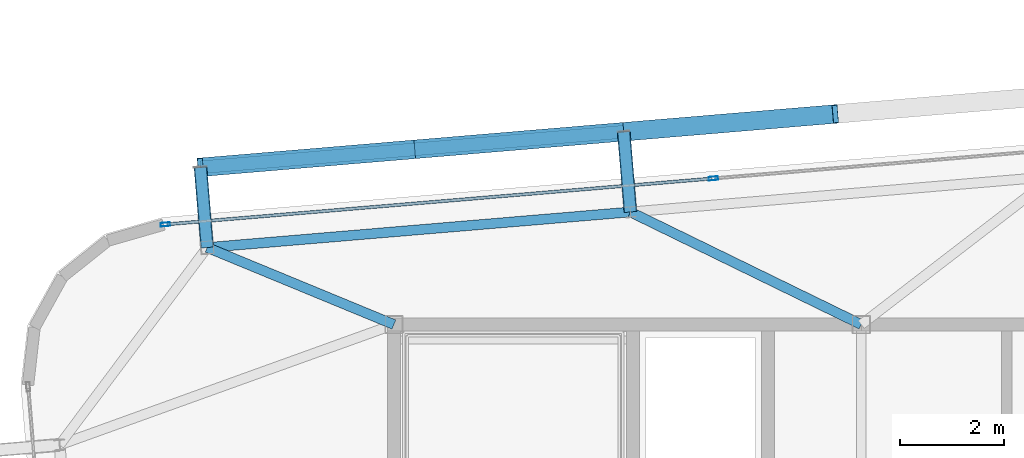
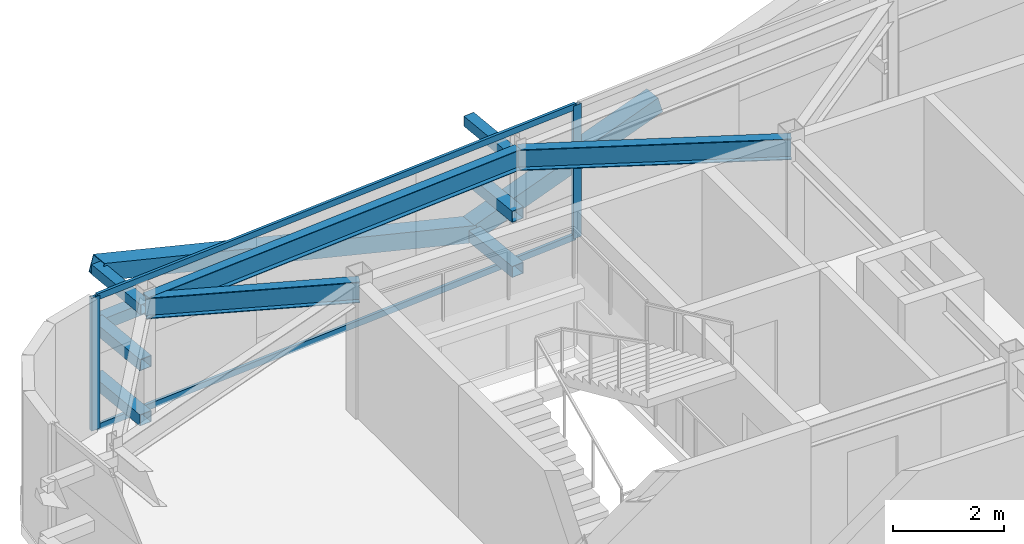
# One storey, part 21 of 39: 14 members, 3 beams, 1 element without a shape of its own.
"""IFC4 building model written with IfcOpenShell, lengths in metres."""

from ifc_helpers import new_model, si_unit, direction, frame, origin, origin_2d, place, context, subcontext, project, spatial, hollow_rectangle, i_section, extrude, source, transform, mapped, material, layer, layer_set, material_profile, profile_set, type_object, element, aggregate, save


model = new_model("IFC4")

# Units and contexts
model_context = context("Model", 3, precision=1e-05, world=origin(), true_north=direction((0.0, 1.0)))
body_context = subcontext(model_context, "Body", "Model", "MODEL_VIEW")
ifc_project = project(units=[si_unit("LENGTHUNIT", "METRE"), si_unit("AREAUNIT", "SQUARE_METRE"), si_unit("VOLUMEUNIT", "CUBIC_METRE"), si_unit("PLANEANGLEUNIT", "RADIAN"), si_unit("MASSUNIT", "GRAM", prefix="KILO")], contexts=[model_context])

# Site, building, storey
site_placement = place(None, origin())
site = spatial("IfcSite", under=ifc_project, at=site_placement, CompositionType="ELEMENT")
building_placement = place(site_placement, origin())
building = spatial("IfcBuilding", under=site, at=building_placement, Name="Taldren Reach Tower", CompositionType="ELEMENT")
storey_placement = place(building_placement, frame((0.0, 0.0, 175.699951171875)))
storey = spatial("IfcBuildingStorey", under=building, at=storey_placement, Name="L53", CompositionType="ELEMENT", Elevation=175.699951171875)

# Members
ifc_material_1 = material(Name="Steel Gr 350 (C350L0)", Category="steel")
ifc_material_profile_1 = material_profile(ifc_material_1, hollow_rectangle(XDim=0.25, YDim=0.25, WallThickness=0.010009765625, at=origin_2d()), Name="250x250x10.0SHS")
ifc_profile_set_1 = profile_set([ifc_material_profile_1], Name="Steel Gr 350 (C350L0)")
member_type_1 = type_object("IfcMemberType", Name="MB-POST250", PredefinedType="POST", material=ifc_profile_set_1)
shared_shape_1 = source(origin(), body_context, "Body", "SweptSolid", [
    extrude(hollow_rectangle(XDim=0.25, YDim=0.25, WallThickness=0.010009765625, at=origin_2d()), origin(), (0.0, 0.0, 1.0), 1.5498046875),
])
for number, where, z_axis, x_axis, name in (
    (1, (15.40380859375, 33.483642578125, 0.219970703125), (-0.083645141657, 0.996495604746, 0.0), (-0.996495604746, -0.083645141657, 0.0), "Exoskeleton base diaphragm tie strut B4-N1 L53"),
    (2, (15.40380859375, 33.483642578125, 1.43505859375), (-0.083645141657, 0.996495604746, 0.0), (-0.996495604746, -0.083645141657, 0.0), "Exoskeleton mid-tier diaphragm tie B4-N1 L53"),
):
    element("IfcMember", number, at=place(storey_placement, frame(where, z_axis=z_axis, x_axis=x_axis)), inside=storey, type_object=member_type_1, Name=name, PredefinedType="POST", context=body_context, shape_type="MappedRepresentation", body=[
        mapped(shared_shape_1, transform((0.0, 0.0, 0.0), scale=1.0)),
    ])
shared_shape_2 = source(origin(), body_context, "Body", "SweptSolid", [
    extrude(hollow_rectangle(XDim=0.25, YDim=0.25, WallThickness=0.010009765625, at=origin_2d()), origin(), (0.0, 0.0, 1.0), 1.550048828125),
])
for number, where, z_axis, x_axis, name in (
    (3, (23.55517578125, 34.16796875, 0.219970703125), (-0.083788408178, 0.996483568683, 0.0), (-0.996483568683, -0.083788408178, 0.0), "Exoskeleton base diaphragm tie strut B4-N2 L53"),
    (4, (23.55517578125, 34.16796875, 1.43505859375), (-0.083788408178, 0.996483568683, 0.0), (-0.996483568683, -0.083788408178, 0.0), "Exoskeleton mid-tier diaphragm tie B4-N2 L53"),
):
    element("IfcMember", number, at=place(storey_placement, frame(where, z_axis=z_axis, x_axis=x_axis)), inside=storey, type_object=member_type_1, Name=name, PredefinedType="POST", context=body_context, shape_type="MappedRepresentation", body=[
        mapped(shared_shape_2, transform((0.0, 0.0, 0.0), scale=1.0)),
    ])

# Beams
ifc_material_2 = material(Name="Steel Gr 350 (350PLUS)", Category="steel")
ifc_material_profile_2 = material_profile(ifc_material_2, i_section(OverallWidth=0.18994140625, OverallDepth=0.4541015625, WebThickness=0.008544921875, FlangeThickness=0.0126953125, at=origin_2d()), Name="460UB67.1")
ifc_profile_set_2 = profile_set([ifc_material_profile_2], Name="Steel Gr 350 (350PLUS)")
beam_type_1 = type_object("IfcBeamType", Name="SP-UB460B", PredefinedType="SPANDREL", material=ifc_profile_set_2)
shared_shape_3 = source(origin(), body_context, "Body", "SweptSolid", [
    extrude(i_section(OverallWidth=0.18994140625, OverallDepth=0.4541015625, WebThickness=0.008544921875, FlangeThickness=0.0126953125, at=origin_2d()), origin(), (0.0, 0.0, 1.0), 8.179931640625),
])
beam_1_placement = place(storey_placement, frame((23.55517578125, 34.16796875, 2.703125), z_axis=(-0.996494523218, -0.083658025296, 0.0), x_axis=(0.083658025296, -0.996494523218, 0.0)))
element("IfcBeam", 5, at=beam_1_placement, inside=storey, type_object=beam_type_1, Name="Perimeter spandrel B4 N2-N1 L53", PredefinedType="SPANDREL", context=body_context, shape_type="MappedRepresentation", body=[
    mapped(shared_shape_3, transform((0.0, 0.0, 0.0), scale=1.0)),
])
ifc_material_profile_3 = material_profile(ifc_material_2, i_section(OverallWidth=0.19091796875, OverallDepth=0.4599609375, WebThickness=0.010009765625, FlangeThickness=0.01611328125, at=origin_2d()), Name="460UB82.1")
ifc_profile_set_3 = profile_set([ifc_material_profile_3], Name="Steel Gr 350 (350PLUS)")
beam_type_2 = type_object("IfcBeamType", Name="BM-UB460A", PredefinedType="BEAM", material=ifc_profile_set_3)
shared_shape_4 = source(origin(), body_context, "Body", "SweptSolid", [
    extrude(i_section(OverallWidth=0.19091796875, OverallDepth=0.4599609375, WebThickness=0.010009765625, FlangeThickness=0.01611328125, at=origin_2d()), origin(), (0.0, 0.0, 1.0), 4.9453125),
])
beam_2_placement = place(storey_placement, frame((28.0, 32.0, 2.699951171875), z_axis=(-0.898787423235, 0.438384725823, 0.0), x_axis=(-0.438384725823, -0.898787423235, 0.0)))
element("IfcBeam", 6, at=beam_2_placement, inside=storey, type_object=beam_type_2, Name="Primary floor girder B4-N2 L53", PredefinedType="BEAM", context=body_context, shape_type="MappedRepresentation", body=[
    mapped(shared_shape_4, transform((0.0, 0.0, 0.0), scale=1.0)),
])
shared_shape_5 = source(origin(), body_context, "Body", "SweptSolid", [
    extrude(i_section(OverallWidth=0.19091796875, OverallDepth=0.4599609375, WebThickness=0.010009765625, FlangeThickness=0.01611328125, at=origin_2d()), origin(), (0.0, 0.0, 1.0), 3.89013671875),
])
beam_3_placement = place(storey_placement, frame((19.0, 32.0, 2.699951171875), z_axis=(-0.924419242179, 0.381377850287, 0.0), x_axis=(-0.381377850287, -0.924419242179, 0.0)))
element("IfcBeam", 7, at=beam_3_placement, inside=storey, type_object=beam_type_2, Name="Primary floor girder B4-N1 L53", PredefinedType="BEAM", context=body_context, shape_type="MappedRepresentation", body=[
    mapped(shared_shape_5, transform((0.0, 0.0, 0.0), scale=1.0)),
])

# Members
ifc_material_3 = material(Name="Steel Gr 450 (C450L0)", Category="steel")
ifc_material_profile_4 = material_profile(ifc_material_3, hollow_rectangle(XDim=0.219970703125, YDim=0.219970703125, WallThickness=0.00830078125, at=origin_2d()), Name="220x220x8.2SHS")
ifc_profile_set_4 = profile_set([ifc_material_profile_4], Name="Steel Gr 450 (C450L0)")
member_type_2 = type_object("IfcMemberType", Name="MB-TIE219", PredefinedType="STRUT", material=ifc_profile_set_4)
shared_shape_6 = source(origin(), body_context, "Body", "SweptSolid", [
    extrude(hollow_rectangle(XDim=0.219970703125, YDim=0.219970703125, WallThickness=0.00830078125, at=origin_2d()), origin(), (0.0, 0.0, 1.0), 1.5498046875),
])
member_1_placement = place(storey_placement, frame((15.40380859375, 33.483642578125, 2.650146484375), z_axis=(-0.083645141657, 0.996495604746, 0.0), x_axis=(-0.996495604746, -0.083645141657, 0.0)))
element("IfcMember", 8, at=member_1_placement, inside=storey, type_object=member_type_2, Name="Exoskeleton diaphragm tie strut B4-N1 L53", PredefinedType="STRUT", context=body_context, shape_type="MappedRepresentation", body=[
    mapped(shared_shape_6, transform((0.0, 0.0, 0.0), scale=1.0)),
])
shared_shape_7 = source(origin(), body_context, "Body", "SweptSolid", [
    extrude(hollow_rectangle(XDim=0.219970703125, YDim=0.219970703125, WallThickness=0.00830078125, at=origin_2d()), origin(), (0.0, 0.0, 1.0), 1.550048828125),
])
member_2_placement = place(storey_placement, frame((23.55517578125, 34.16796875, 2.650146484375), z_axis=(-0.083788408178, 0.996483568683, 0.0), x_axis=(-0.996483568683, -0.083788408178, 0.0)))
element("IfcMember", 9, at=member_2_placement, inside=storey, type_object=member_type_2, Name="Exoskeleton diaphragm tie strut B4-N2 L53", PredefinedType="STRUT", context=body_context, shape_type="MappedRepresentation", body=[
    mapped(shared_shape_7, transform((0.0, 0.0, 0.0), scale=1.0)),
])
shared_shape_8 = source(origin(), body_context, "Body", "SweptSolid", [
    extrude(hollow_rectangle(XDim=0.25, YDim=0.25, WallThickness=0.010009765625, at=origin_2d()), origin(), (0.0, 0.0, 1.0), 8.179931640625),
])
member_3_placement = place(storey_placement, frame((15.274169921875, 35.028076171875, 1.43505859375), z_axis=(0.99649182565, 0.08369015123, 0.0), x_axis=(-0.08369015123, 0.99649182565, 0.0)))
element("IfcMember", 10, at=member_3_placement, inside=storey, type_object=member_type_1, Name="Exoskeleton mid-height ring chord B4-N1 L53", PredefinedType="POST", context=body_context, shape_type="MappedRepresentation", body=[
    mapped(shared_shape_8, transform((0.0, 0.0, 0.0), scale=1.0)),
])
ifc_material_profile_5 = material_profile(ifc_material_3, hollow_rectangle(XDim=0.360107421875, YDim=0.360107421875, WallThickness=0.0126953125, at=origin_2d()), Name="360x360x12.7SHS")
ifc_profile_set_5 = profile_set([ifc_material_profile_5], Name="Steel Gr 450 (C450L0)")
member_type_3 = type_object("IfcMemberType", Name="MB-EXO356", PredefinedType="BRACE", material=ifc_profile_set_5)
shared_shape_9 = source(origin(), body_context, "Body", "SweptSolid", [
    extrude(hollow_rectangle(XDim=0.360107421875, YDim=0.360107421875, WallThickness=0.0126953125, at=origin_2d()), origin(), (0.0, 0.0, 1.0), 4.2666015625),
])
for number, where, z_axis, x_axis, name in (
    (11, (19.349853515625, 35.370361328125, 1.43505859375), (-0.955229159097, -0.080222312271, 0.284783486572), (0.083687662192, -0.996492034688, 0.0), "Exoskeleton Diagrid Brace B4-N1 L53"),
    (12, (23.42529296875, 35.712646484375, 0.219970703125), (0.955229159097, 0.080222312271, 0.284783486572), (-0.083687662192, 0.996492034688, 0.0), "Exoskeleton Diagrid Brace B4-N2 L53"),
):
    element("IfcMember", number, at=place(storey_placement, frame(where, z_axis=z_axis, x_axis=x_axis)), inside=storey, type_object=member_type_3, Name=name, PredefinedType="BRACE", context=body_context, shape_type="MappedRepresentation", body=[
        mapped(shared_shape_9, transform((0.0, 0.0, 0.0), scale=1.0)),
    ])
shared_shape_10 = source(origin(), body_context, "Body", "SweptSolid", [
    extrude(hollow_rectangle(XDim=0.360107421875, YDim=0.360107421875, WallThickness=0.0126953125, at=origin_2d()), origin(), (0.0, 0.0, 1.0), 4.266357421875),
])
member_4_placement = place(storey_placement, frame((23.42529296875, 35.712646484375, 0.219970703125), z_axis=(-0.955224149813, -0.080226697301, 0.284799053113), x_axis=(0.083692640416, -0.996491616593, 0.0)))
element("IfcMember", 13, at=member_4_placement, inside=storey, type_object=member_type_3, Name="Exoskeleton Diagrid Brace B4-N1 L53", PredefinedType="BRACE", context=body_context, shape_type="MappedRepresentation", body=[
    mapped(shared_shape_10, transform((0.0, 0.0, 0.0), scale=1.0)),
])

# Curtain wall, members
ifc_material_4 = material(Name="Aluminium and Low-E Glass Unitised System", Category="aluminium")
ifc_layer = layer(ifc_material_4, 0.159912109375)
ifc_layer_set = layer_set([ifc_layer], Name="Aluminium and Low-E Glass Unitised System")
curtain_wall_type = type_object("IfcCurtainWallType", Name="CW-SYS-5", PredefinedType="NOTDEFINED", material=ifc_layer_set)
curtain_wall_placement = place(storey_placement, origin())
curtain_wall = element("IfcCurtainWall", 14, at=curtain_wall_placement, inside=storey, type_object=curtain_wall_type, Name="Unitised curtain wall CW-L53-N", PredefinedType="NOTDEFINED")
ifc_material_5 = material(Name="Anodised Aluminium 6063-T6", Category="aluminium")
ifc_material_profile_6 = material_profile(ifc_material_5, hollow_rectangle(XDim=0.070068359375, YDim=0.179931640625, WallThickness=0.00390625, at=origin_2d()), Name="ALU-180x70x4RHS")
ifc_profile_set_6 = profile_set([ifc_material_profile_6], Name="Anodised Aluminium 6063-T6")
member_type_4 = type_object("IfcMemberType", Name="CW-MUL-180", PredefinedType="MULLION", material=ifc_profile_set_6)
shared_shape_11 = source(origin(), body_context, "Body", "SweptSolid", [
    extrude(hollow_rectangle(XDim=0.070068359375, YDim=0.179931640625, WallThickness=0.00390625, at=origin_2d()), origin(), (0.0, 0.0, 1.0), 2.929931640625),
])
member_5_placement = place(storey_placement, frame((25.151611328125, 34.81396484375, 0.0), z_axis=(0.0, 0.0, 1.0), x_axis=(0.083677875247, -0.99649285657, 0.0)))
member_5 = element("IfcMember", 15, at=member_5_placement, type_object=member_type_4, Name="CW-5 mullion 4", PredefinedType="MULLION", context=body_context, shape_type="MappedRepresentation", body=[
    mapped(shared_shape_11, transform((0.0, 0.0, 0.0), scale=1.0)),
])
member_6_placement = place(storey_placement, frame((14.598876953125, 33.927734375, 0.0), z_axis=(0.0, 0.0, 1.0), x_axis=(0.083677875247, -0.99649285657, 0.0)))
member_6 = element("IfcMember", 16, at=member_6_placement, type_object=member_type_4, Name="CW-5 mullion 5", PredefinedType="MULLION", context=body_context, shape_type="MappedRepresentation", body=[
    mapped(shared_shape_11, transform((0.0, 0.0, 0.0), scale=1.0)),
])
ifc_material_profile_7 = material_profile(ifc_material_5, hollow_rectangle(XDim=0.06005859375, YDim=0.135009765625, WallThickness=0.00341796875, at=origin_2d()), Name="ALU-135x60x3.5RHS")
ifc_profile_set_7 = profile_set([ifc_material_profile_7], Name="Anodised Aluminium 6063-T6")
member_type_5 = type_object("IfcMemberType", Name="CW-TRN-150", PredefinedType="USERDEFINED", material=ifc_profile_set_7)
shared_shape_12 = source(origin(), body_context, "Body", "SweptSolid", [
    extrude(hollow_rectangle(XDim=0.06005859375, YDim=0.135009765625, WallThickness=0.00341796875, at=origin_2d()), origin(), (0.0, 0.0, 1.0), 10.519775390625),
])
member_7_placement = place(storey_placement, frame((25.11669921875, 34.81103515625, 0.030029296875), z_axis=(-0.996492094046, -0.083686955404, 0.0), x_axis=(0.083686955404, -0.996492094046, 0.0)))
member_7 = element("IfcMember", 17, at=member_7_placement, type_object=member_type_5, Name="CW-5 transom 4.1", ObjectType="TRANSOM", PredefinedType="USERDEFINED", context=body_context, shape_type="MappedRepresentation", body=[
    mapped(shared_shape_12, transform((0.0, 0.0, 0.0), scale=1.0)),
])
member_8_placement = place(storey_placement, frame((25.11669921875, 34.81103515625, 2.900146484375), z_axis=(-0.996492094046, -0.083686955404, 0.0), x_axis=(0.083686955404, -0.996492094046, 0.0)))
member_8 = element("IfcMember", 18, at=member_8_placement, type_object=member_type_5, Name="CW-5 transom 4.2", ObjectType="TRANSOM", PredefinedType="USERDEFINED", context=body_context, shape_type="MappedRepresentation", body=[
    mapped(shared_shape_12, transform((0.0, 0.0, 0.0), scale=1.0)),
])
aggregate(curtain_wall, [member_5, member_6, member_7, member_8])

save(model, "model.ifc")
